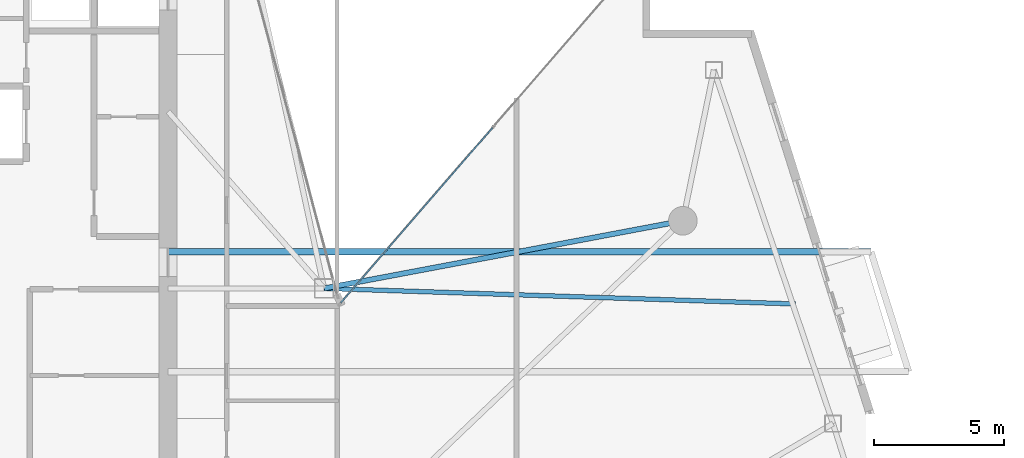
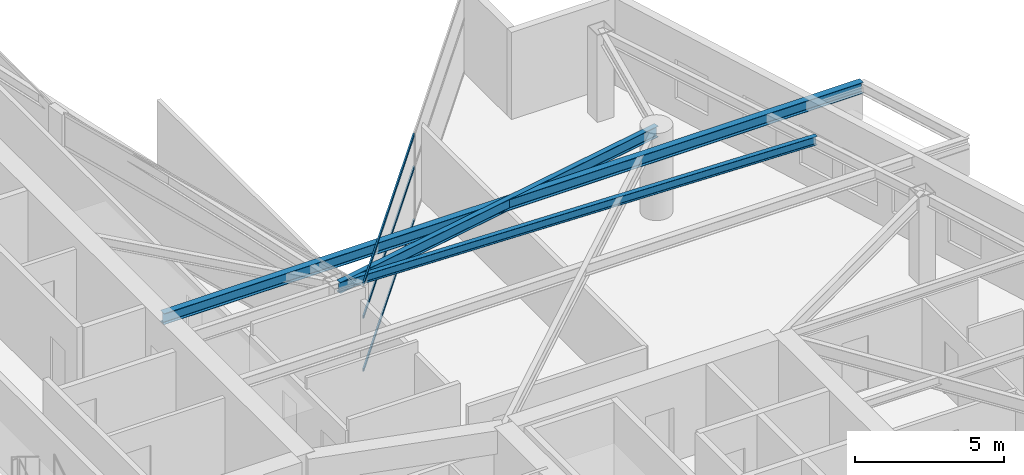
# One storey, part 12 of 29: 3 beams, 3 members, 1 element without a shape of its own.
"""IFC4 building model written with IfcOpenShell, lengths in metres."""

from ifc_helpers import new_model, si_unit, direction, frame, origin, origin_2d, place, context, subcontext, project, spatial, hollow_rectangle, i_section, extrude, material, layer, layer_set, material_profile, profile_set, type_object, element, aggregate, save


model = new_model("IFC4")

# Units and contexts
model_context = context("Model", 3, precision=1e-05, world=origin(), true_north=direction((0.0, 1.0)))
body_context = subcontext(model_context, "Body", "Model", "MODEL_VIEW")
ifc_project = project(units=[si_unit("LENGTHUNIT", "METRE"), si_unit("AREAUNIT", "SQUARE_METRE"), si_unit("VOLUMEUNIT", "CUBIC_METRE"), si_unit("PLANEANGLEUNIT", "RADIAN"), si_unit("MASSUNIT", "GRAM", prefix="KILO")], contexts=[model_context])

# Site, building, storey
site_placement = place(None, origin())
site = spatial("IfcSite", under=ifc_project, at=site_placement, CompositionType="ELEMENT")
building_placement = place(site_placement, origin())
building = spatial("IfcBuilding", under=site, at=building_placement, Name="Calvorn Quay Hotel", CompositionType="ELEMENT")
storey_placement = place(building_placement, frame((0.0, 0.0, 251.39990234375)))
storey = spatial("IfcBuildingStorey", under=building, at=storey_placement, Name="L62", CompositionType="ELEMENT", Elevation=251.39990234375)

# Beams
ifc_material_1 = material(Name="Steel Q355B", Category="steel")
ifc_material_profile_1 = material_profile(ifc_material_1, i_section(OverallWidth=0.25, OverallDepth=0.449951171875, WebThickness=0.011962890625, FlangeThickness=0.01611328125, FilletRadius=0.01611328125, at=origin_2d()), Name="HN450x250x12x16")
ifc_profile_set_1 = profile_set([ifc_material_profile_1], Name="Steel Q355B")
beam_type_1 = type_object("IfcBeamType", Name="BM-CANT-BALC", PredefinedType="BEAM", material=ifc_profile_set_1)
beam_1_placement = place(storey_placement, frame((15.0, 26.39990234375, 3.315185546875), z_axis=(1.0, 0.0, 0.0), x_axis=(0.0, 1.0, 0.0)))
element("IfcBeam", 1, at=beam_1_placement, inside=storey, type_object=beam_type_1, Name="Cantilever Balcony Beam BCB-L63-1B", PredefinedType="BEAM", context=body_context, shape_type="SweptSolid", body=[
    extrude(i_section(OverallWidth=0.25, OverallDepth=0.449951171875, WebThickness=0.011962890625, FlangeThickness=0.01611328125, FilletRadius=0.01611328125, at=origin_2d()), origin(), (0.0, 0.0, 1.0), 27.037109375),
])
ifc_material_2 = material(Name="Steel Q355B", Category="steel")
ifc_material_profile_2 = material_profile(ifc_material_2, i_section(OverallWidth=0.175048828125, OverallDepth=0.35009765625, WebThickness=0.007080078125, FlangeThickness=0.010986328125, FilletRadius=0.013916015625, at=origin_2d()), Name="HN350x175x7x11")
ifc_profile_set_2 = profile_set([ifc_material_profile_2], Name="Steel Q355B")
beam_type_2 = type_object("IfcBeamType", Name="BM-JOIST-SEC", PredefinedType="JOIST", material=ifc_profile_set_2)
beam_2_placement = place(storey_placement, frame((21.0, 25.0, 3.364990234375), z_axis=(0.999452470599, -0.033087142721, 0.0), x_axis=(0.033087142721, 0.999452470599, 0.0)))
element("IfcBeam", 2, at=beam_2_placement, inside=storey, type_object=beam_type_2, Name="Beam BJ-L62-E3", PredefinedType="JOIST", context=body_context, shape_type="SweptSolid", body=[
    extrude(i_section(OverallWidth=0.175048828125, OverallDepth=0.35009765625, WebThickness=0.007080078125, FlangeThickness=0.010986328125, FilletRadius=0.013916015625, at=origin_2d()), origin(), (0.0, 0.0, 1.0), 18.136962890625),
])
ifc_material_3 = material(Name="Steel Q355B", Category="steel")
ifc_material_profile_3 = material_profile(ifc_material_3, i_section(OverallWidth=0.199951171875, OverallDepth=0.449951171875, WebThickness=0.009033203125, FlangeThickness=0.013916015625, FilletRadius=0.01611328125, at=origin_2d()), Name="HN450x200x9x14")
ifc_profile_set_3 = profile_set([ifc_material_profile_3], Name="Steel Q355B")
beam_type_3 = type_object("IfcBeamType", Name="BM-SPANDREL-Z3", PredefinedType="SPANDREL", material=ifc_profile_set_3)
beam_3_placement = place(storey_placement, frame((34.800048828125, 27.60009765625, 3.315185546875), z_axis=(-0.982709432406, -0.185154452988, 0.0), x_axis=(0.185154452988, -0.982709432406, 0.0)))
element("IfcBeam", 3, at=beam_3_placement, inside=storey, type_object=beam_type_3, Name="Beam BSP-L62-E4", PredefinedType="SPANDREL", context=body_context, shape_type="SweptSolid", body=[
    extrude(i_section(OverallWidth=0.199951171875, OverallDepth=0.449951171875, WebThickness=0.009033203125, FlangeThickness=0.013916015625, FilletRadius=0.01611328125, at=origin_2d()), origin(), (0.0, 0.0, 1.0), 14.04296875),
])

# Curtain wall, members
ifc_material_4 = material(Name="Champagne Bronze Anodised Aluminium and Low-E Glass", Category="aluminium")
ifc_layer = layer(ifc_material_4, 0.219970703125)
ifc_layer_set = layer_set([ifc_layer], Name="CW-SYS-Z4")
curtain_wall_type = type_object("IfcCurtainWallType", Name="CW-SYS-Z4", PredefinedType="NOTDEFINED", material=ifc_layer_set)
curtain_wall_placement = place(storey_placement, origin())
curtain_wall = element("IfcCurtainWall", 4, at=curtain_wall_placement, inside=storey, type_object=curtain_wall_type, Name="Inner Court Curtain Wall L62-NE1", PredefinedType="NOTDEFINED")
ifc_material_5 = material(Name="Champagne Bronze Anodised Aluminium 6063-T6", Category="aluminium")
ifc_material_profile_4 = material_profile(ifc_material_5, hollow_rectangle(XDim=0.054931640625, YDim=0.1298828125, WallThickness=0.003173828125, at=origin_2d()), Name="ALU-T130x55x3.2")
ifc_profile_set_4 = profile_set([ifc_material_profile_4], Name="Champagne Bronze Anodised Aluminium 6063-T6")
member_type = type_object("IfcMemberType", Name="CW-SYS-Z4-TRN", PredefinedType="USERDEFINED", material=ifc_profile_set_4)
member_1_placement = place(storey_placement, frame((27.480224609375, 31.17724609375, 0.030029296875), z_axis=(-0.65534550322, -0.755329247024, 0.0), x_axis=(0.755329247024, -0.65534550322, 0.0)))
member_1 = element("IfcMember", 5, at=member_1_placement, type_object=member_type, Name="CW-L62-NE1 transom 2.1", ObjectType="TRANSOM", PredefinedType="USERDEFINED", context=body_context, shape_type="SweptSolid", body=[
    extrude(hollow_rectangle(XDim=0.054931640625, YDim=0.1298828125, WallThickness=0.003173828125, at=origin_2d()), origin(), (0.0, 0.0, 1.0), 8.91259765625),
])
member_2_placement = place(storey_placement, frame((27.480224609375, 31.17724609375, 2.2001953125), z_axis=(-0.65534550322, -0.755329247024, 0.0), x_axis=(0.755329247024, -0.65534550322, 0.0)))
member_2 = element("IfcMember", 6, at=member_2_placement, type_object=member_type, Name="CW-L62-NE1 transom 2.2", ObjectType="TRANSOM", PredefinedType="USERDEFINED", context=body_context, shape_type="SweptSolid", body=[
    extrude(hollow_rectangle(XDim=0.054931640625, YDim=0.1298828125, WallThickness=0.003173828125, at=origin_2d()), origin(), (0.0, 0.0, 1.0), 8.91259765625),
])
member_3_placement = place(storey_placement, frame((27.480224609375, 31.17724609375, 3.530029296875), z_axis=(-0.65534550322, -0.755329247024, 0.0), x_axis=(0.755329247024, -0.65534550322, 0.0)))
member_3 = element("IfcMember", 7, at=member_3_placement, type_object=member_type, Name="CW-L62-NE1 transom 2.3", ObjectType="TRANSOM", PredefinedType="USERDEFINED", context=body_context, shape_type="SweptSolid", body=[
    extrude(hollow_rectangle(XDim=0.054931640625, YDim=0.1298828125, WallThickness=0.003173828125, at=origin_2d()), origin(), (0.0, 0.0, 1.0), 8.91259765625),
])
aggregate(curtain_wall, [member_1, member_2, member_3])

save(model, "model.ifc")
